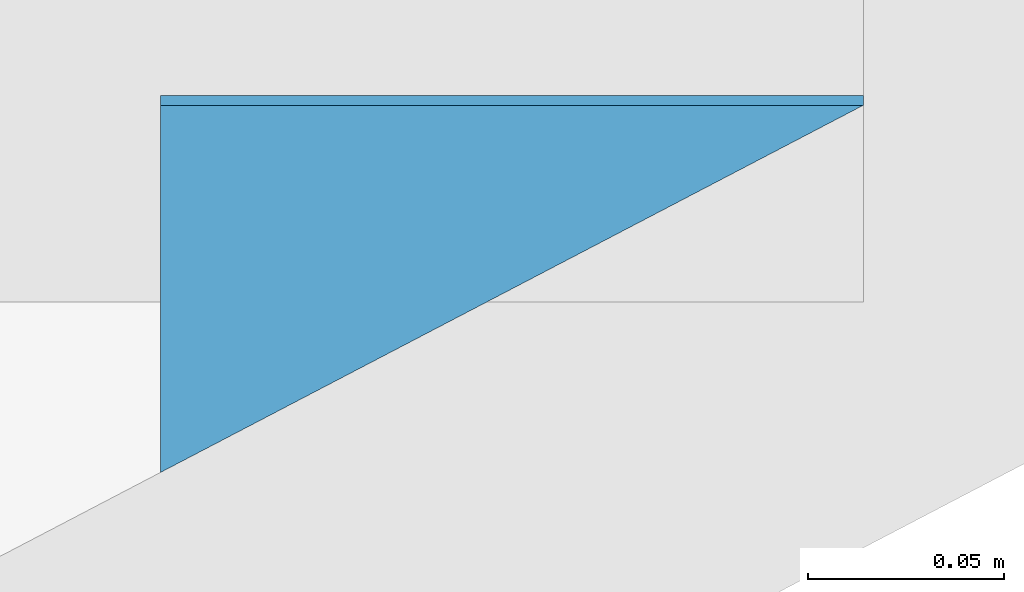
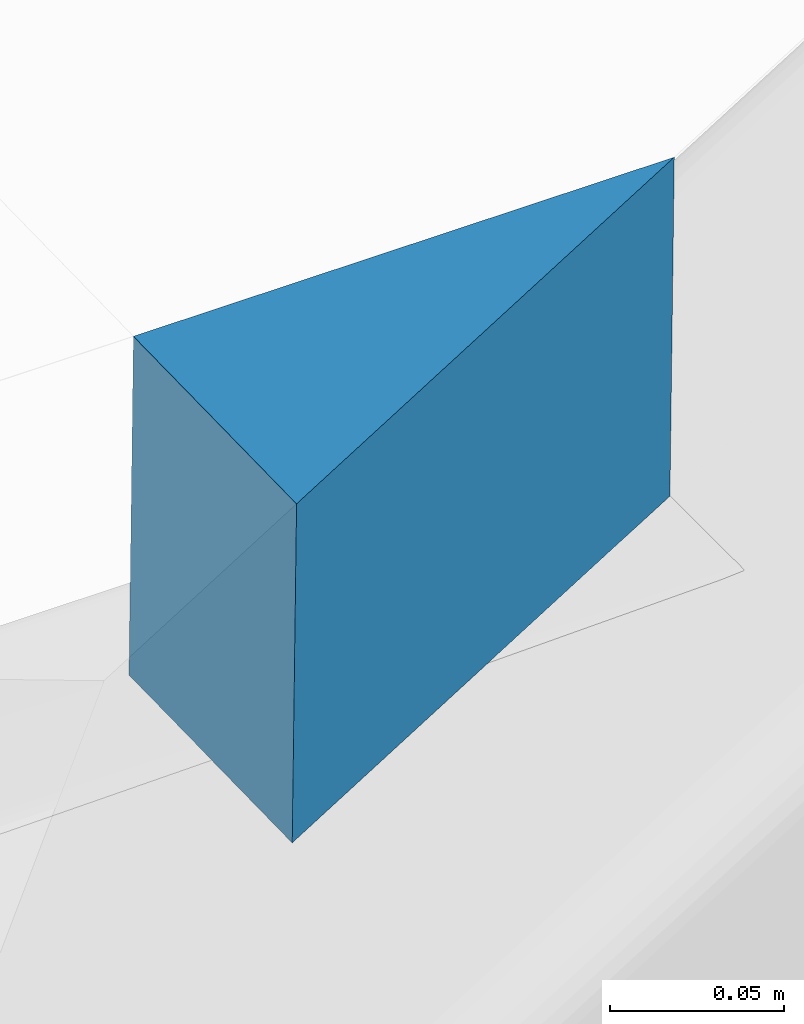
# One storey, part 83 of 129: 1 plate.
"""IFC4 building model written with IfcOpenShell, lengths in metres."""

from ifc_helpers import new_model, si_unit, direction, frame, origin, place, context, subcontext, project, spatial, polyline, outline, extrude, material, layer, layer_set, type_object, element, save


model = new_model("IFC4")

# Units and contexts
model_context = context("Model", 3, precision=1e-05, world=origin(), true_north=direction((0.0, 1.0)))
body_context = subcontext(model_context, "Body", "Model", "MODEL_VIEW")
ifc_project = project(units=[si_unit("LENGTHUNIT", "METRE"), si_unit("AREAUNIT", "SQUARE_METRE"), si_unit("VOLUMEUNIT", "CUBIC_METRE"), si_unit("PLANEANGLEUNIT", "RADIAN"), si_unit("MASSUNIT", "GRAM", prefix="KILO")], contexts=[model_context])

# Site, building, storey
site_placement = place(None, origin())
site = spatial("IfcSite", under=ifc_project, at=site_placement, CompositionType="ELEMENT")
building_placement = place(site_placement, origin())
building = spatial("IfcBuilding", under=site, at=building_placement, Name="Ardhachandra Cancer Care Centre", CompositionType="ELEMENT")
storey_placement = place(building_placement, frame((0.0, 0.0, 4.5)))
storey = spatial("IfcBuildingStorey", under=building, at=storey_placement, Name="L01", CompositionType="ELEMENT", Elevation=4.5)

# Plate
ifc_material = material(Name="Glass, laminated low-e insulating unit", Category="glass")
ifc_layer = layer(ifc_material, 0.1201171875)
ifc_layer_set = layer_set([ifc_layer], Name="Glass, laminated low-e insulating unit")
plate_type = type_object("IfcPlateType", Name="Court glass cassette 120", PredefinedType="SHEET", material=ifc_layer_set)
plate_placement = place(storey_placement, frame((105.1962890625, 31.77490234375, 2.615478515625), z_axis=(0.0, -0.020883173321, 0.999781922757), x_axis=(1.0, 0.0, 0.0)))
element("IfcPlate", 1, at=plate_placement, inside=storey, type_object=plate_type, Name="Court glass cassette 8-9-2", PredefinedType="SHEET", context=body_context, shape_type="SweptSolid", body=[
    extrude(outline(polyline([(0.0, -0.093505859375), (0.178955078125, 0.0), (0.0, 0.0), (0.0, -0.093505859375)])), frame((0.0, 0.0, -0.1201171875)), (0.0, 0.0, 1.0), 0.1201171875),
])

save(model, "model.ifc")
